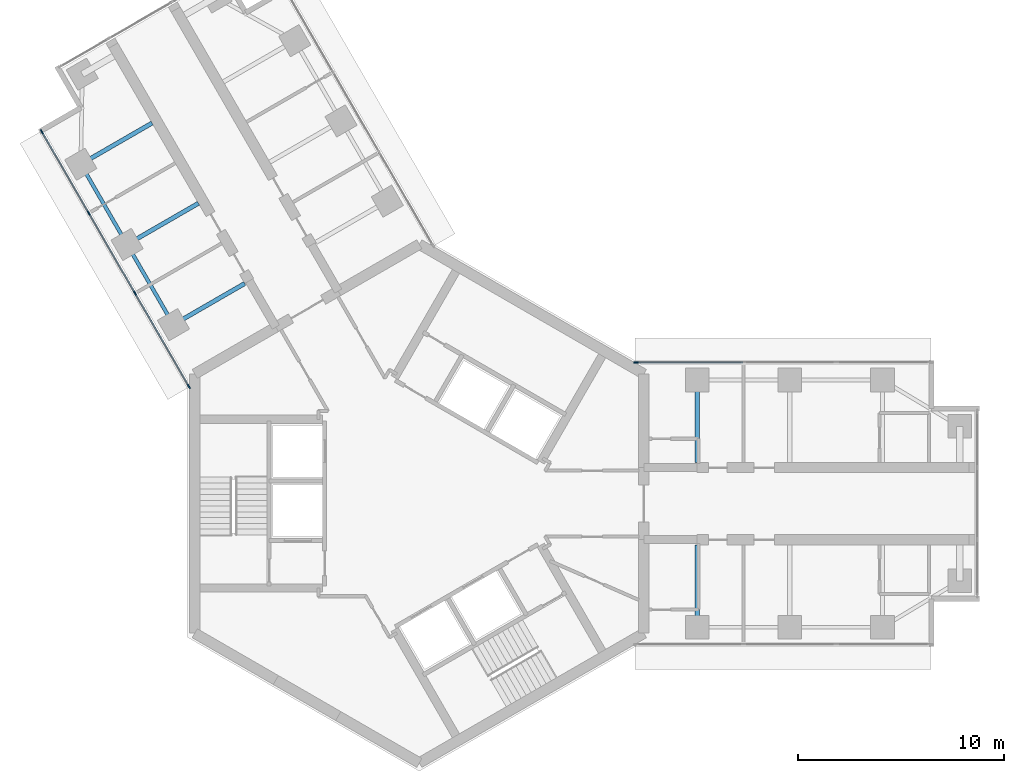
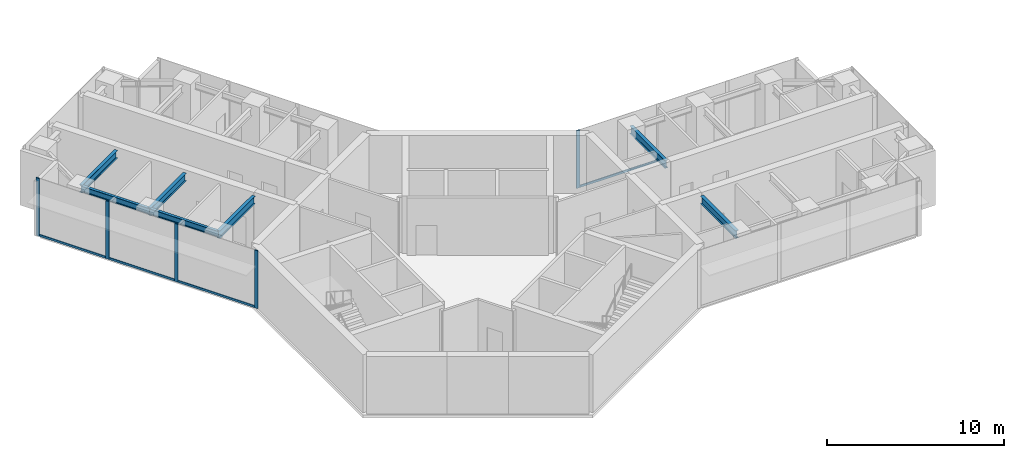
# One storey, part 5 of 17: 9 members, 7 beams, 2 elements without a shape of their own.
"""IFC4 building model written with IfcOpenShell, lengths in metres."""

from ifc_helpers import new_model, si_unit, direction, frame, origin, origin_2d, place, context, subcontext, project, spatial, rectangle, i_section, extrude, material, material_profile, profile_set, type_object, element, aggregate, save


model = new_model("IFC4")

# Units and contexts
model_context = context("Model", 3, precision=1e-05, world=origin(), true_north=direction((0.0, 1.0)))
body_context = subcontext(model_context, "Body", "Model", "MODEL_VIEW")
ifc_project = project(units=[si_unit("LENGTHUNIT", "METRE"), si_unit("AREAUNIT", "SQUARE_METRE"), si_unit("VOLUMEUNIT", "CUBIC_METRE"), si_unit("PLANEANGLEUNIT", "RADIAN"), si_unit("MASSUNIT", "GRAM", prefix="KILO")], contexts=[model_context])

# Site, building, storey
site_placement = place(None, origin())
site = spatial("IfcSite", under=ifc_project, at=site_placement, CompositionType="ELEMENT")
building_placement = place(site_placement, origin())
building = spatial("IfcBuilding", under=site, at=building_placement, Name="Upepo Twin Towers", CompositionType="ELEMENT")
storey_placement = place(building_placement, frame((0.0, 0.0, 194.5)))
storey = spatial("IfcBuildingStorey", under=building, at=storey_placement, Name="L47", CompositionType="ELEMENT", Elevation=194.5)

# Beams
ifc_material_1 = material(Name="Steel S355", Category="steel")
ifc_material_profile_1 = material_profile(ifc_material_1, i_section(OverallWidth=0.177978515625, OverallDepth=0.406494140625, WebThickness=0.0078125, FlangeThickness=0.0126953125, FilletRadius=0.01025390625, at=origin_2d()), Name="UB 406x178x60")
ifc_profile_set_1 = profile_set([ifc_material_profile_1], Name="Steel S355")
beam_type_1 = type_object("IfcBeamType", Name="Beam UB 406x178x60", PredefinedType="BEAM", material=ifc_profile_set_1)
beam_1_placement = place(storey_placement, frame((-11.946044921875, 8.69140625, 3.5966796875), z_axis=(-0.500013631625, 0.866017533419, 0.0), x_axis=(-0.866017533419, -0.500013631625, 0.0)))
element("IfcBeam", 1, at=beam_1_placement, inside=storey, type_object=beam_type_1, Name="T1 edge beam BL 13.5-18.0", PredefinedType="BEAM", context=body_context, shape_type="SweptSolid", body=[
    extrude(i_section(OverallWidth=0.177978515625, OverallDepth=0.406494140625, WebThickness=0.0078125, FlangeThickness=0.0126953125, FilletRadius=0.01025390625, at=origin_2d()), origin(), (0.0, 0.0, 1.0), 4.499755859375),
])
beam_2_placement = place(storey_placement, frame((-14.196044921875, 12.58837890625, 3.5966796875), z_axis=(-0.499990139034, 0.866031096941, 0.0), x_axis=(-0.866031096941, -0.499990139034, 0.0)))
element("IfcBeam", 2, at=beam_2_placement, inside=storey, type_object=beam_type_1, Name="T1 edge beam BL 18.0-22.5", PredefinedType="BEAM", context=body_context, shape_type="SweptSolid", body=[
    extrude(i_section(OverallWidth=0.177978515625, OverallDepth=0.406494140625, WebThickness=0.0078125, FlangeThickness=0.0126953125, FilletRadius=0.01025390625, at=origin_2d()), origin(), (0.0, 0.0, 1.0), 4.5),
])
ifc_material_2 = material(Name="Steel S355", Category="steel")
ifc_material_profile_2 = material_profile(ifc_material_2, i_section(OverallWidth=0.209228515625, OverallDepth=0.533203125, WebThickness=0.010009765625, FlangeThickness=0.015625, FilletRadius=0.0126953125, at=origin_2d()), Name="UB 533x210x92")
ifc_profile_set_2 = profile_set([ifc_material_profile_2], Name="Steel S355")
beam_type_2 = type_object("IfcBeamType", Name="Beam UB 533x210x92", PredefinedType="BEAM", material=ifc_profile_set_2)
for number, where, z_axis, x_axis, name in (
    (3, (13.5, 6.0, 3.533447265625), (0.0, -1.0, 0.0), (1.0, 0.0, 0.0), "T1 girder AL at 13.5"),
    (4, (13.5, -6.0, 3.533447265625), (0.0, 1.0, 0.0), (-1.0, 0.0, 0.0), "T1 girder AR at 13.5"),
    (5, (-11.946044921875, 8.69140625, 3.533447265625), (0.866026010844, 0.49999894854, 0.0), (-0.49999894854, 0.866026010844, 0.0), "T1 girder BL at 13.5"),
    (6, (-14.196044921875, 12.58837890625, 3.533447265625), (0.866026010844, 0.49999894854, 0.0), (-0.49999894854, 0.866026010844, 0.0), "T1 girder BL at 18.0"),
    (7, (-16.446044921875, 16.485595703125, 3.533447265625), (0.866026010844, 0.49999894854, 0.0), (-0.49999894854, 0.866026010844, 0.0), "T1 girder BL at 22.5"),
):
    element("IfcBeam", number, at=place(storey_placement, frame(where, z_axis=z_axis, x_axis=x_axis)), inside=storey, type_object=beam_type_2, Name=name, PredefinedType="BEAM", context=body_context, shape_type="SweptSolid", body=[
        extrude(i_section(OverallWidth=0.209228515625, OverallDepth=0.533203125, WebThickness=0.010009765625, FlangeThickness=0.015625, FilletRadius=0.0126953125, at=origin_2d()), origin(), (0.0, 0.0, 1.0), 4.0),
    ])

# Curtain wall, member
ifc_material_3 = material(Name="Aluminium and fritted glass", Category="aluminium")
curtain_wall_type = type_object("IfcCurtainWallType", Name="Tower curtain wall TW3, fritted glass", PredefinedType="NOTDEFINED", material=ifc_material_3)
curtain_wall_1_placement = place(storey_placement, origin())
curtain_wall_1 = element("IfcCurtainWall", 8, at=curtain_wall_1_placement, inside=storey, type_object=curtain_wall_type, Name="T1 L47 wing A flank L curtain wall", PredefinedType="NOTDEFINED")
ifc_material_4 = material(Name="Aluminium mullion", Category="aluminium")
ifc_material_profile_3 = material_profile(ifc_material_4, rectangle(XDim=0.06494140625, YDim=0.22509765625, at=origin_2d()), Name="MULLION 65x225")
ifc_profile_set_3 = profile_set([ifc_material_profile_3], Name="Aluminium mullion")
member_type_1 = type_object("IfcMemberType", Name="Mullion 65x225 TW3", PredefinedType="MULLION", material=ifc_profile_set_3)
member_1_placement = place(storey_placement, frame((10.51953125, 6.85009765625, 0.0), z_axis=(0.0, 0.0, 1.0), x_axis=(0.0, 1.0, 0.0)))
member_1 = element("IfcMember", 9, at=member_1_placement, type_object=member_type_1, Name="T1 L47 wing A flank L curtain wall mullion 1", PredefinedType="MULLION", context=body_context, shape_type="SweptSolid", body=[
    extrude(rectangle(XDim=0.06494140625, YDim=0.22509765625, at=origin_2d()), origin(), (0.0, 0.0, 1.0), 4.0),
])

# Curtain wall, members
curtain_wall_2_placement = place(storey_placement, origin())
curtain_wall_2 = element("IfcCurtainWall", 10, at=curtain_wall_2_placement, inside=storey, type_object=curtain_wall_type, Name="T1 L47 wing B flank L curtain wall", PredefinedType="NOTDEFINED")
member_2_placement = place(storey_placement, frame((-11.192138671875, 5.685302734375, 0.0), z_axis=(0.0, 0.0, 1.0), x_axis=(-0.866025388469, -0.500000026527, 0.0)))
member_2 = element("IfcMember", 11, at=member_2_placement, type_object=member_type_1, Name="T1 L47 wing B flank L curtain wall mullion 1", PredefinedType="MULLION", context=body_context, shape_type="SweptSolid", body=[
    extrude(rectangle(XDim=0.06494140625, YDim=0.22509765625, at=origin_2d()), origin(), (0.0, 0.0, 1.0), 4.0),
])
member_3_placement = place(storey_placement, frame((-13.807373046875, 10.21484375, 0.0), z_axis=(0.0, 0.0, 1.0), x_axis=(-0.866025388469, -0.500000026527, 0.0)))
member_3 = element("IfcMember", 12, at=member_3_placement, type_object=member_type_1, Name="T1 L47 wing B flank L curtain wall mullion 2", PredefinedType="MULLION", context=body_context, shape_type="SweptSolid", body=[
    extrude(rectangle(XDim=0.06494140625, YDim=0.22509765625, at=origin_2d()), origin(), (0.0, 0.0, 1.0), 4.0),
])
member_4_placement = place(storey_placement, frame((-16.057373046875, 14.112060546875, 0.0), z_axis=(0.0, 0.0, 1.0), x_axis=(-0.866025388469, -0.500000026527, 0.0)))
member_4 = element("IfcMember", 13, at=member_4_placement, type_object=member_type_1, Name="T1 L47 wing B flank L curtain wall mullion 3", PredefinedType="MULLION", context=body_context, shape_type="SweptSolid", body=[
    extrude(rectangle(XDim=0.06494140625, YDim=0.22509765625, at=origin_2d()), origin(), (0.0, 0.0, 1.0), 4.0),
])
member_5_placement = place(storey_placement, frame((-18.341064453125, 18.067626953125, 0.0), z_axis=(0.0, 0.0, 1.0), x_axis=(-0.866025388469, -0.500000026527, 0.0)))
member_5 = element("IfcMember", 14, at=member_5_placement, type_object=member_type_1, Name="T1 L47 wing B flank L curtain wall mullion 4", PredefinedType="MULLION", context=body_context, shape_type="SweptSolid", body=[
    extrude(rectangle(XDim=0.06494140625, YDim=0.22509765625, at=origin_2d()), origin(), (0.0, 0.0, 1.0), 4.0),
])

# Member
ifc_material_5 = material(Name="Aluminium transom", Category="aluminium")
ifc_material_profile_4 = material_profile(ifc_material_5, rectangle(XDim=0.06494140625, YDim=0.14990234375, at=origin_2d()), Name="TRANSOM 65x150")
ifc_profile_set_4 = profile_set([ifc_material_profile_4], Name="Aluminium transom")
member_type_2 = type_object("IfcMemberType", Name="Transom 65x150 TW3", PredefinedType="USERDEFINED", material=ifc_profile_set_4)
member_6_placement = place(storey_placement, frame((10.552001953125, 6.85009765625, 0.074951171875), z_axis=(1.0, 0.0, 0.0), x_axis=(0.0, 1.0, 0.0)))
member_6 = element("IfcMember", 15, at=member_6_placement, type_object=member_type_2, Name="T1 L47 wing A flank L curtain wall transom 1", ObjectType="TRANSOM", PredefinedType="USERDEFINED", context=body_context, shape_type="SweptSolid", body=[
    extrude(rectangle(XDim=0.06494140625, YDim=0.14990234375, at=origin_2d()), origin(), (0.0, 0.0, 1.0), 5.16552734375),
])

aggregate(curtain_wall_1, [member_1, member_6])

member_7_placement = place(storey_placement, frame((-11.208251953125, 5.71337890625, 0.074951171875), z_axis=(-0.500007480159, 0.86602108507, 0.0), x_axis=(-0.86602108507, -0.500007480159, 0.0)))
member_7 = element("IfcMember", 16, at=member_7_placement, type_object=member_type_2, Name="T1 L47 wing B flank L curtain wall transom 1", ObjectType="TRANSOM", PredefinedType="USERDEFINED", context=body_context, shape_type="SweptSolid", body=[
    extrude(rectangle(XDim=0.06494140625, YDim=0.14990234375, at=origin_2d()), origin(), (0.0, 0.0, 1.0), 5.16552734375),
])

member_8_placement = place(storey_placement, frame((-13.823486328125, 10.2431640625, 0.074951171875), z_axis=(-0.500005184116, 0.866022410713, 0.0), x_axis=(-0.866022410713, -0.500005184116, 0.0)))
member_8 = element("IfcMember", 17, at=member_8_placement, type_object=member_type_2, Name="T1 L47 wing B flank L curtain wall transom 2", ObjectType="TRANSOM", PredefinedType="USERDEFINED", context=body_context, shape_type="SweptSolid", body=[
    extrude(rectangle(XDim=0.06494140625, YDim=0.14990234375, at=origin_2d()), origin(), (0.0, 0.0, 1.0), 4.43505859375),
])

member_9_placement = place(storey_placement, frame((-16.073486328125, 14.14013671875, 0.074951171875), z_axis=(-0.499982167615, 0.866035699072, 0.0), x_axis=(-0.866035699072, -0.499982167615, 0.0)))
member_9 = element("IfcMember", 18, at=member_9_placement, type_object=member_type_2, Name="T1 L47 wing B flank L curtain wall transom 3", ObjectType="TRANSOM", PredefinedType="USERDEFINED", context=body_context, shape_type="SweptSolid", body=[
    extrude(rectangle(XDim=0.06494140625, YDim=0.14990234375, at=origin_2d()), origin(), (0.0, 0.0, 1.0), 4.502685546875),
])

aggregate(curtain_wall_2, [member_2, member_3, member_4, member_5, member_7, member_8, member_9])

save(model, "model.ifc")
